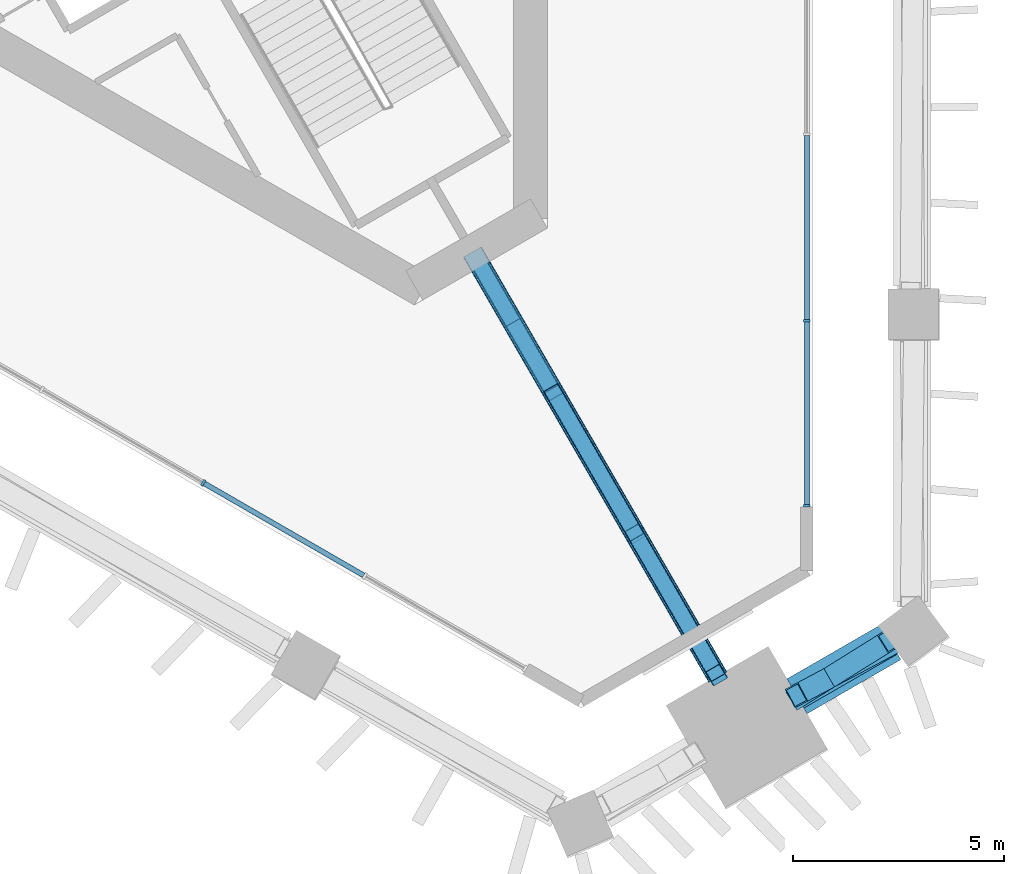
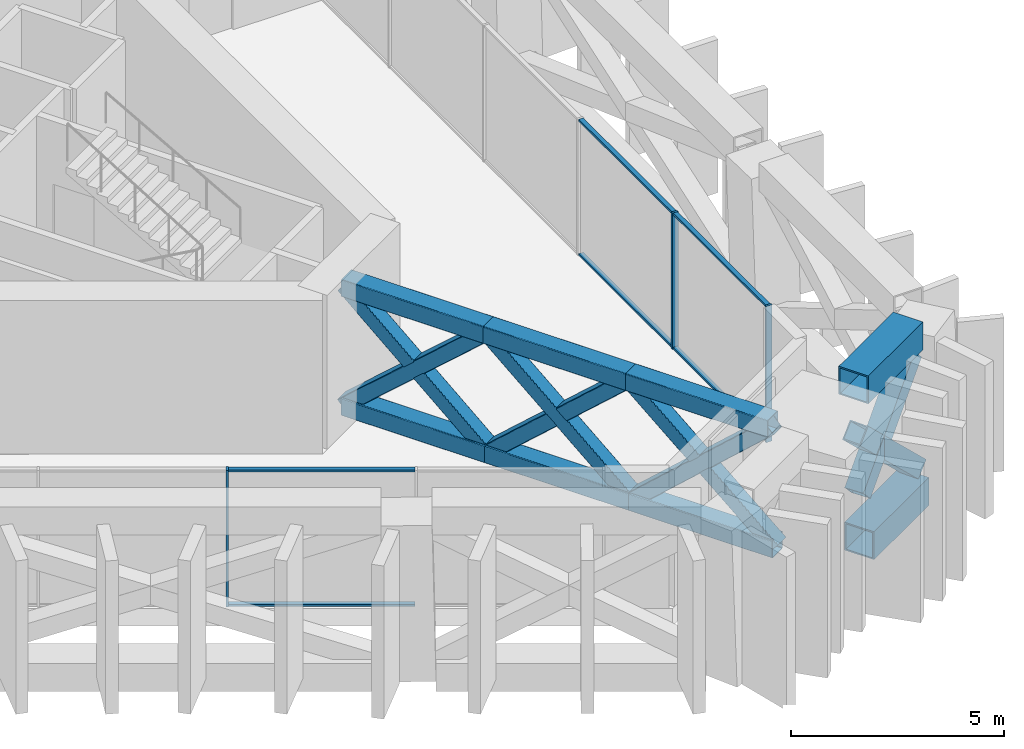
# One storey, part 4 of 18: 25 members, 2 elements without a shape of their own.
"""IFC4 building model written with IfcOpenShell, lengths in metres."""

from ifc_helpers import new_model, si_unit, direction, frame, origin, origin_2d, place, context, subcontext, project, spatial, rectangle, hollow_rectangle, extrude, material, layer, layer_set, material_profile, profile_set, type_object, element, aggregate, save


model = new_model("IFC4")

# Units and contexts
model_context = context("Model", 3, precision=1e-05, world=origin(), true_north=direction((0.0, 1.0)))
body_context = subcontext(model_context, "Body", "Model", "MODEL_VIEW")
ifc_project = project(units=[si_unit("LENGTHUNIT", "METRE"), si_unit("AREAUNIT", "SQUARE_METRE"), si_unit("VOLUMEUNIT", "CUBIC_METRE"), si_unit("PLANEANGLEUNIT", "RADIAN"), si_unit("MASSUNIT", "GRAM", prefix="KILO")], contexts=[model_context])

# Site, building, storey
site_placement = place(None, origin())
site = spatial("IfcSite", under=ifc_project, at=site_placement, CompositionType="ELEMENT")
building_placement = place(site_placement, origin())
building = spatial("IfcBuilding", under=site, at=building_placement, Name="Jabali Bay Hotel Tower and Convention Centre", CompositionType="ELEMENT")
storey_placement = place(building_placement, frame((0.0, 0.0, 52.89990234375)))
storey = spatial("IfcBuildingStorey", under=building, at=storey_placement, Name="L11", CompositionType="ELEMENT", Elevation=52.89990234375)

# Members
ifc_material_1 = material(Name="Steel Q420GJC", Category="steel")
ifc_material_profile_1 = material_profile(ifc_material_1, hollow_rectangle(XDim=0.5, YDim=0.5, WallThickness=0.030029296875, at=origin_2d()), Name="Belt brace 500x500x30")
ifc_profile_set_1 = profile_set([ifc_material_profile_1], Name="Steel Q420GJC")
member_type_1 = type_object("IfcMemberType", Name="Belt brace 500x500x30", PredefinedType="BRACE", material=ifc_profile_set_1)
member_1_placement = place(storey_placement, frame((95.820068359375, 46.737060546875, 1.351806640625), z_axis=(0.610411620928, 0.380657275029, 0.694620538139), x_axis=(-0.529149011088, 0.848528917636, 0.0)))
element("IfcMember", 1, at=member_1_placement, inside=storey, type_object=member_type_1, Name="Belt brace T1 M2-V0 x1", PredefinedType="BRACE", context=body_context, shape_type="SweptSolid", body=[
    extrude(hollow_rectangle(XDim=0.5, YDim=0.5, WallThickness=0.030029296875, at=origin_2d()), origin(), (0.0, 0.0, 1.0), 3.554443359375),
])
member_2_placement = place(storey_placement, frame((98.05810546875, 47.997802734375, 0.57763671875), z_axis=(-0.635712637538, -0.338795830834, 0.693604229719), x_axis=(0.470317035422, -0.882497527584, 0.0)))
element("IfcMember", 2, at=member_2_placement, inside=storey, type_object=member_type_1, Name="Belt brace T1 M2-V0 x2", PredefinedType="BRACE", context=body_context, shape_type="SweptSolid", body=[
    extrude(hollow_rectangle(XDim=0.5, YDim=0.5, WallThickness=0.030029296875, at=origin_2d()), origin(), (0.0, 0.0, 1.0), 3.56787109375),
])
ifc_material_profile_2 = material_profile(ifc_material_1, hollow_rectangle(XDim=0.800048828125, YDim=0.800048828125, WallThickness=0.0400390625, at=origin_2d()), Name="Belt chord 800x800x40")
ifc_profile_set_2 = profile_set([ifc_material_profile_2], Name="Steel Q420GJC")
member_type_2 = type_object("IfcMemberType", Name="Belt chord 800x800x40", PredefinedType="CHORD", material=ifc_profile_set_2)
member_3_placement = place(storey_placement, frame((95.844482421875, 46.6962890625, 0.0), z_axis=(0.866046247233, 0.49996389635, 0.0), x_axis=(-0.49996389635, 0.866046247233, 0.0)))
element("IfcMember", 3, at=member_3_placement, inside=storey, type_object=member_type_2, Name="Belt chord T1 M2-V0", PredefinedType="CHORD", context=body_context, shape_type="SweptSolid", body=[
    extrude(hollow_rectangle(XDim=0.800048828125, YDim=0.800048828125, WallThickness=0.0400390625, at=origin_2d()), origin(), (0.0, 0.0, 1.0), 2.567626953125),
])
member_4_placement = place(storey_placement, frame((95.76708984375, 46.83056640625, 4.400146484375), z_axis=(0.866040749187, 0.499973420042, 0.0), x_axis=(-0.499973420042, 0.866040749187, 0.0)))
element("IfcMember", 4, at=member_4_placement, inside=storey, type_object=member_type_2, Name="Belt chord T1 M2-V0", PredefinedType="CHORD", context=body_context, shape_type="SweptSolid", body=[
    extrude(hollow_rectangle(XDim=0.800048828125, YDim=0.800048828125, WallThickness=0.0400390625, at=origin_2d()), origin(), (0.0, 0.0, 1.0), 2.554443359375),
])

# Curtain wall, members
ifc_material_2 = material(Name="Aluminium and glass", Category="aluminium")
ifc_layer = layer(ifc_material_2, 0.159912109375)
ifc_layer_set = layer_set([ifc_layer], Name="Aluminium and glass")
curtain_wall_type = type_object("IfcCurtainWallType", Name="CW3 curtain wall", PredefinedType="NOTDEFINED", material=ifc_layer_set)
curtain_wall_1_placement = place(storey_placement, origin())
curtain_wall_1 = element("IfcCurtainWall", 5, at=curtain_wall_1_placement, inside=storey, type_object=curtain_wall_type, Name="CW3 curtain wall east face L11", PredefinedType="NOTDEFINED")
ifc_material_3 = material(Name="Aluminium", Category="aluminium")
ifc_material_profile_3 = material_profile(ifc_material_3, rectangle(XDim=0.159912109375, YDim=0.06005859375, at=origin_2d()), Name="CW3 mullion 60 x 160")
ifc_profile_set_3 = profile_set([ifc_material_profile_3], Name="Aluminium")
member_type_3 = type_object("IfcMemberType", Name="CW3 mullion 60 x 160", PredefinedType="MULLION", material=ifc_profile_set_3)
member_5_placement = place(storey_placement, frame((96.03759765625, 55.675048828125, 0.0), z_axis=(0.0, 0.0, 1.0), x_axis=(1.0, 0.0, 0.0)))
member_5 = element("IfcMember", 6, at=member_5_placement, type_object=member_type_3, Name="CW3 mullion 13", PredefinedType="MULLION", context=body_context, shape_type="SweptSolid", body=[
    extrude(rectangle(XDim=0.159912109375, YDim=0.06005859375, at=origin_2d()), origin(), (0.0, 0.0, 1.0), 3.900146484375),
])
member_6_placement = place(storey_placement, frame((96.03759765625, 51.2822265625, 0.0), z_axis=(0.0, 0.0, 1.0), x_axis=(1.0, 0.0, 0.0)))
member_6 = element("IfcMember", 7, at=member_6_placement, type_object=member_type_3, Name="CW3 mullion 14", PredefinedType="MULLION", context=body_context, shape_type="SweptSolid", body=[
    extrude(rectangle(XDim=0.159912109375, YDim=0.06005859375, at=origin_2d()), origin(), (0.0, 0.0, 1.0), 3.900146484375),
])

# Curtain wall, member
curtain_wall_2_placement = place(storey_placement, origin())
curtain_wall_2 = element("IfcCurtainWall", 8, at=curtain_wall_2_placement, inside=storey, type_object=curtain_wall_type, Name="CW3 curtain wall south-west face L11", PredefinedType="NOTDEFINED")
member_7_placement = place(storey_placement, frame((81.717041015625, 51.82958984375, 0.0), z_axis=(0.0, 0.0, 1.0), x_axis=(-0.500000005895, -0.866025400381, 0.0)))
member_7 = element("IfcMember", 9, at=member_7_placement, type_object=member_type_3, Name="CW3 mullion 3", PredefinedType="MULLION", context=body_context, shape_type="SweptSolid", body=[
    extrude(rectangle(XDim=0.159912109375, YDim=0.06005859375, at=origin_2d()), origin(), (0.0, 0.0, 1.0), 3.900146484375),
])

# Member
ifc_material_profile_4 = material_profile(ifc_material_3, rectangle(XDim=0.1201171875, YDim=0.06005859375, at=origin_2d()), Name="CW3 transom 60 x 120")
ifc_profile_set_4 = profile_set([ifc_material_profile_4], Name="Aluminium")
member_type_4 = type_object("IfcMemberType", Name="CW3 transom 60 x 120", PredefinedType="USERDEFINED", material=ifc_profile_set_4)
member_8_placement = place(storey_placement, frame((96.03759765625, 60.067626953125, 0.030029296875), z_axis=(0.0, -1.0, 0.0), x_axis=(1.0, 0.0, 0.0)))
member_8 = element("IfcMember", 10, at=member_8_placement, type_object=member_type_4, Name="CW3 transom 12.1", ObjectType="TRANSOM", PredefinedType="USERDEFINED", context=body_context, shape_type="SweptSolid", body=[
    extrude(rectangle(XDim=0.1201171875, YDim=0.06005859375, at=origin_2d()), origin(), (0.0, 0.0, 1.0), 4.362548828125),
])

member_9_placement = place(storey_placement, frame((96.03759765625, 60.067626953125, 3.8701171875), z_axis=(0.0, -1.0, 0.0), x_axis=(1.0, 0.0, 0.0)))
member_9 = element("IfcMember", 11, at=member_9_placement, type_object=member_type_4, Name="CW3 transom 12.2", ObjectType="TRANSOM", PredefinedType="USERDEFINED", context=body_context, shape_type="SweptSolid", body=[
    extrude(rectangle(XDim=0.1201171875, YDim=0.06005859375, at=origin_2d()), origin(), (0.0, 0.0, 1.0), 4.362548828125),
])

member_10_placement = place(storey_placement, frame((96.03759765625, 55.64501953125, 0.030029296875), z_axis=(0.0, -1.0, 0.0), x_axis=(1.0, 0.0, 0.0)))
member_10 = element("IfcMember", 12, at=member_10_placement, type_object=member_type_4, Name="CW3 transom 13.1", ObjectType="TRANSOM", PredefinedType="USERDEFINED", context=body_context, shape_type="SweptSolid", body=[
    extrude(rectangle(XDim=0.1201171875, YDim=0.06005859375, at=origin_2d()), origin(), (0.0, 0.0, 1.0), 4.332763671875),
])

member_11_placement = place(storey_placement, frame((96.03759765625, 55.64501953125, 3.8701171875), z_axis=(0.0, -1.0, 0.0), x_axis=(1.0, 0.0, 0.0)))
member_11 = element("IfcMember", 13, at=member_11_placement, type_object=member_type_4, Name="CW3 transom 13.2", ObjectType="TRANSOM", PredefinedType="USERDEFINED", context=body_context, shape_type="SweptSolid", body=[
    extrude(rectangle(XDim=0.1201171875, YDim=0.06005859375, at=origin_2d()), origin(), (0.0, 0.0, 1.0), 4.332763671875),
])

aggregate(curtain_wall_1, [member_5, member_6, member_8, member_9, member_10, member_11])

member_12_placement = place(storey_placement, frame((85.521240234375, 49.63330078125, 0.030029296875), z_axis=(-0.86602716698, 0.499996946043, 0.0), x_axis=(-0.499996946043, -0.86602716698, 0.0)))
member_12 = element("IfcMember", 14, at=member_12_placement, type_object=member_type_4, Name="CW3 transom 2.1", ObjectType="TRANSOM", PredefinedType="USERDEFINED", context=body_context, shape_type="SweptSolid", body=[
    extrude(rectangle(XDim=0.1201171875, YDim=0.06005859375, at=origin_2d()), origin(), (0.0, 0.0, 1.0), 4.36279296875),
])

member_13_placement = place(storey_placement, frame((85.521240234375, 49.63330078125, 3.8701171875), z_axis=(-0.86602716698, 0.499996946043, 0.0), x_axis=(-0.499996946043, -0.86602716698, 0.0)))
member_13 = element("IfcMember", 15, at=member_13_placement, type_object=member_type_4, Name="CW3 transom 2.2", ObjectType="TRANSOM", PredefinedType="USERDEFINED", context=body_context, shape_type="SweptSolid", body=[
    extrude(rectangle(XDim=0.1201171875, YDim=0.06005859375, at=origin_2d()), origin(), (0.0, 0.0, 1.0), 4.36279296875),
])

aggregate(curtain_wall_2, [member_7, member_12, member_13])

# Members
ifc_material_profile_5 = material_profile(ifc_material_1, hollow_rectangle(XDim=0.39990234375, YDim=0.39990234375, WallThickness=0.011962890625, InnerFilletRadius=0.01806640625, OuterFilletRadius=0.030029296875, at=origin_2d()), Name="Outrigger brace 400x400x12")
ifc_profile_set_5 = profile_set([ifc_material_profile_5], Name="Steel Q420GJC")
member_type_5 = type_object("IfcMemberType", Name="Outrigger brace 400x400x12", PredefinedType="BRACE", material=ifc_profile_set_5)
member_14_placement = place(storey_placement, frame((88.1015625, 57.307373046875, 0.25), z_axis=(0.37452874291, -0.648682070153, 0.662525314683), x_axis=(0.866018481016, 0.500011990396, 0.0)))
element("IfcMember", 16, at=member_14_placement, inside=storey, type_object=member_type_5, Name="Outrigger brace T1 3.1x1", PredefinedType="BRACE", context=body_context, shape_type="SweptSolid", body=[
    extrude(hollow_rectangle(XDim=0.39990234375, YDim=0.39990234375, WallThickness=0.011962890625, InnerFilletRadius=0.01806640625, OuterFilletRadius=0.030029296875, at=origin_2d()), origin(), (0.0, 0.0, 1.0), 5.132080078125),
])
member_15_placement = place(storey_placement, frame((90.043701171875, 53.94384765625, 0.25), z_axis=(-0.376237933003, 0.651593966433, 0.658688333492), x_axis=(-0.866002393897, -0.500039852177, 0.0)))
element("IfcMember", 17, at=member_15_placement, inside=storey, type_object=member_type_5, Name="Outrigger brace T1 3.1x2", PredefinedType="BRACE", context=body_context, shape_type="SweptSolid", body=[
    extrude(hollow_rectangle(XDim=0.39990234375, YDim=0.39990234375, WallThickness=0.011962890625, InnerFilletRadius=0.01806640625, OuterFilletRadius=0.030029296875, at=origin_2d()), origin(), (0.0, 0.0, 1.0), 5.162109375),
])
member_16_placement = place(storey_placement, frame((90.043701171875, 53.94384765625, 0.25), z_axis=(0.372789613385, -0.645718884948, 0.666389545066), x_axis=(0.866034903993, 0.499983544795, 0.0)))
element("IfcMember", 18, at=member_16_placement, inside=storey, type_object=member_type_5, Name="Outrigger brace T1 3.2x1", PredefinedType="BRACE", context=body_context, shape_type="SweptSolid", body=[
    extrude(hollow_rectangle(XDim=0.39990234375, YDim=0.39990234375, WallThickness=0.011962890625, InnerFilletRadius=0.01806640625, OuterFilletRadius=0.030029296875, at=origin_2d()), origin(), (0.0, 0.0, 1.0), 5.102294921875),
])
member_17_placement = place(storey_placement, frame((91.985595703125, 50.580078125, 0.25), z_axis=(-0.377865800827, 0.654494037047, 0.654870210069), x_axis=(-0.866029132408, -0.499993541779, 0.0)))
element("IfcMember", 19, at=member_17_placement, inside=storey, type_object=member_type_5, Name="Outrigger brace T1 3.2x2", PredefinedType="BRACE", context=body_context, shape_type="SweptSolid", body=[
    extrude(hollow_rectangle(XDim=0.39990234375, YDim=0.39990234375, WallThickness=0.011962890625, InnerFilletRadius=0.01806640625, OuterFilletRadius=0.030029296875, at=origin_2d()), origin(), (0.0, 0.0, 1.0), 5.192138671875),
])
member_18_placement = place(storey_placement, frame((91.985595703125, 50.580078125, 0.25), z_axis=(0.371031458945, -0.642675194097, 0.670301612236), x_axis=(0.866035461704, 0.499982578767, 0.0)))
element("IfcMember", 20, at=member_18_placement, inside=storey, type_object=member_type_5, Name="Outrigger brace T1 3.3x1", PredefinedType="BRACE", context=body_context, shape_type="SweptSolid", body=[
    extrude(hollow_rectangle(XDim=0.39990234375, YDim=0.39990234375, WallThickness=0.011962890625, InnerFilletRadius=0.01806640625, OuterFilletRadius=0.030029296875, at=origin_2d()), origin(), (0.0, 0.0, 1.0), 5.072509765625),
])
member_19_placement = place(storey_placement, frame((93.927734375, 47.21630859375, 0.25), z_axis=(-0.379505360901, 0.657332456224, 0.651068140092), x_axis=(-0.866028661061, -0.499994358189, 0.0)))
element("IfcMember", 21, at=member_19_placement, inside=storey, type_object=member_type_5, Name="Outrigger brace T1 3.3x2", PredefinedType="BRACE", context=body_context, shape_type="SweptSolid", body=[
    extrude(hollow_rectangle(XDim=0.39990234375, YDim=0.39990234375, WallThickness=0.011962890625, InnerFilletRadius=0.01806640625, OuterFilletRadius=0.030029296875, at=origin_2d()), origin(), (0.0, 0.0, 1.0), 5.222412109375),
])
ifc_material_profile_6 = material_profile(ifc_material_1, hollow_rectangle(XDim=0.5, YDim=0.5, WallThickness=0.01611328125, InnerFilletRadius=0.02392578125, OuterFilletRadius=0.0400390625, at=origin_2d()), Name="Outrigger chord 500x500x16")
ifc_profile_set_6 = profile_set([ifc_material_profile_6], Name="Steel Q420GJC")
member_type_6 = type_object("IfcMemberType", Name="Outrigger chord 500x500x16", PredefinedType="CHORD", material=ifc_profile_set_6)
for number, where, z_axis, x_axis, name in (
    (22, (88.1015625, 57.307373046875, 0.25), (0.500039852177, -0.866002393897, 0.0), (0.866002393897, 0.500039852177, 0.0), "Outrigger chord T1 3.lo1"),
    (23, (90.043701171875, 53.94384765625, 0.25), (0.499965490628, -0.866045326863, 0.0), (0.866045326863, 0.499965490628, 0.0), "Outrigger chord T1 3.lo2"),
):
    element("IfcMember", number, at=place(storey_placement, frame(where, z_axis=z_axis, x_axis=x_axis)), inside=storey, type_object=member_type_6, Name=name, PredefinedType="CHORD", context=body_context, shape_type="SweptSolid", body=[
        extrude(hollow_rectangle(XDim=0.5, YDim=0.5, WallThickness=0.01611328125, InnerFilletRadius=0.02392578125, OuterFilletRadius=0.0400390625, at=origin_2d()), origin(), (0.0, 0.0, 1.0), 3.884033203125),
    ])
member_20_placement = place(storey_placement, frame((91.985595703125, 50.580078125, 0.25), z_axis=(0.50001263341, -0.866018109759, 0.0), x_axis=(0.866018109759, 0.50001263341, 0.0)))
element("IfcMember", 24, at=member_20_placement, inside=storey, type_object=member_type_6, Name="Outrigger chord T1 3.lo3", PredefinedType="CHORD", context=body_context, shape_type="SweptSolid", body=[
    extrude(hollow_rectangle(XDim=0.5, YDim=0.5, WallThickness=0.01611328125, InnerFilletRadius=0.02392578125, OuterFilletRadius=0.0400390625, at=origin_2d()), origin(), (0.0, 0.0, 1.0), 3.88427734375),
])
for number, where, z_axis, x_axis, name in (
    (25, (88.1015625, 57.307373046875, 3.650146484375), (0.500011990396, -0.866018481016, 0.0), (0.866018481016, 0.500011990396, 0.0), "Outrigger chord T1 3.hi1"),
    (26, (90.023681640625, 53.978271484375, 3.650146484375), (0.500011990396, -0.866018481016, 0.0), (0.866018481016, 0.500011990396, 0.0), "Outrigger chord T1 3.hi2"),
):
    element("IfcMember", number, at=place(storey_placement, frame(where, z_axis=z_axis, x_axis=x_axis)), inside=storey, type_object=member_type_6, Name=name, PredefinedType="CHORD", context=body_context, shape_type="SweptSolid", body=[
        extrude(hollow_rectangle(XDim=0.5, YDim=0.5, WallThickness=0.01611328125, InnerFilletRadius=0.02392578125, OuterFilletRadius=0.0400390625, at=origin_2d()), origin(), (0.0, 0.0, 1.0), 3.84423828125),
    ])
member_21_placement = place(storey_placement, frame((91.94580078125, 50.649169921875, 3.650146484375), z_axis=(0.499964356602, -0.866045981532, 0.0), x_axis=(0.866045981532, 0.499964356602, 0.0)))
element("IfcMember", 27, at=member_21_placement, inside=storey, type_object=member_type_6, Name="Outrigger chord T1 3.hi3", PredefinedType="CHORD", context=body_context, shape_type="SweptSolid", body=[
    extrude(hollow_rectangle(XDim=0.5, YDim=0.5, WallThickness=0.01611328125, InnerFilletRadius=0.02392578125, OuterFilletRadius=0.0400390625, at=origin_2d()), origin(), (0.0, 0.0, 1.0), 3.843994140625),
])

save(model, "model.ifc")
